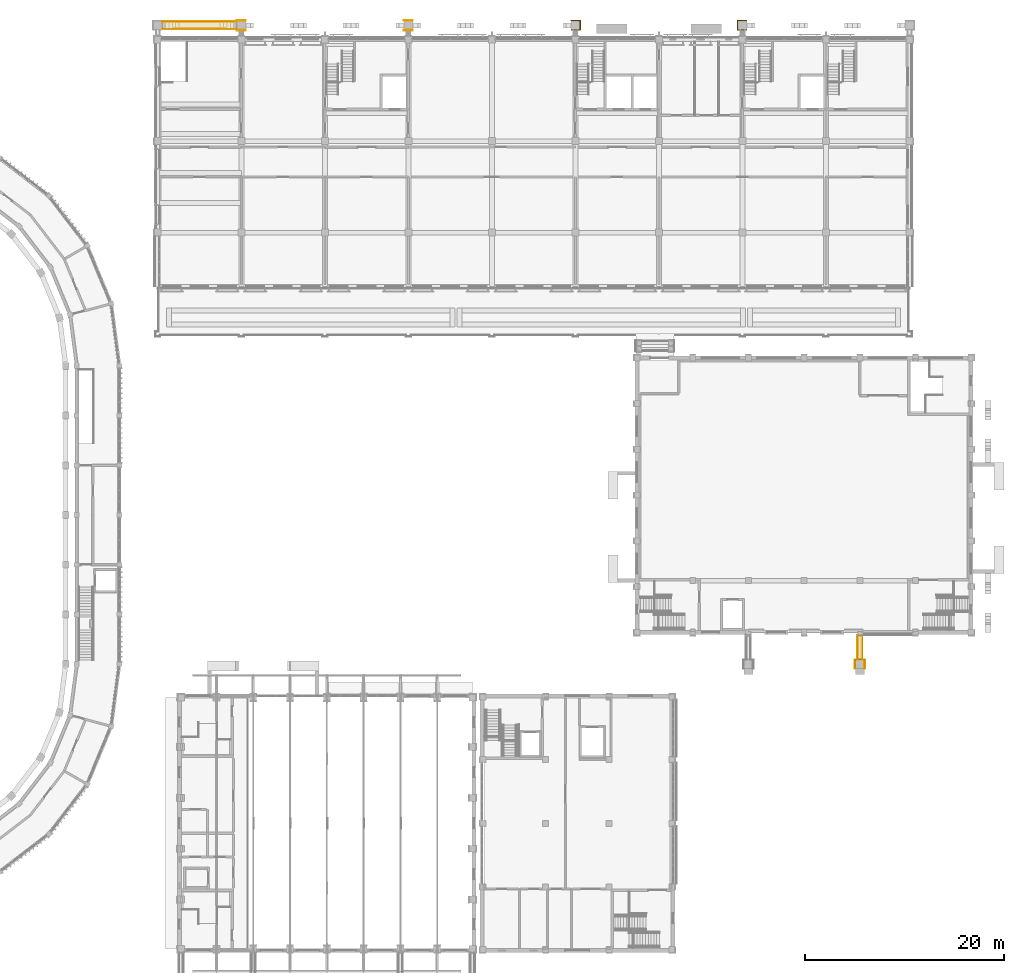
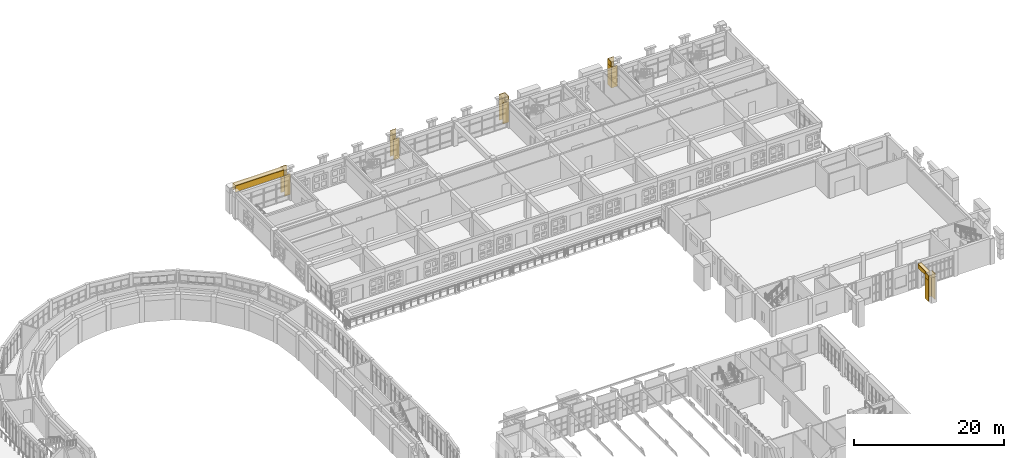
# One storey, part 93 of 99: 19 coverings.
"""IFC4 building model written with IfcOpenShell, lengths in metres."""

from ifc_helpers import new_model, si_unit, direction, frame, origin, place, context, subcontext, project, spatial, polyline, outline, extrude, material, layer, layer_set, type_object, element, save


model = new_model("IFC4")

# Units and contexts
model_context = context("Model", 3, precision=1e-05, world=origin(), true_north=direction((0.0, 1.0)))
body_context = subcontext(model_context, "Body", "Model", "MODEL_VIEW")
ifc_project = project(units=[si_unit("LENGTHUNIT", "METRE"), si_unit("AREAUNIT", "SQUARE_METRE"), si_unit("VOLUMEUNIT", "CUBIC_METRE"), si_unit("PLANEANGLEUNIT", "RADIAN"), si_unit("MASSUNIT", "GRAM", prefix="KILO")], contexts=[model_context])

# Site, building, storey
site_placement = place(None, origin())
site = spatial("IfcSite", under=ifc_project, at=site_placement, CompositionType="ELEMENT")
building_placement = place(site_placement, origin())
building = spatial("IfcBuilding", under=site, at=building_placement, Name="Wasatch Bagh Community Centre", CompositionType="ELEMENT")
storey_placement = place(building_placement, frame((0.0, 0.0, 4.199951171875)))
storey = spatial("IfcBuildingStorey", under=building, at=storey_placement, Name="L01", CompositionType="ELEMENT", Elevation=4.199951171875)

# Coverings
ifc_material = material(Name="Cast stone cladding", Category="masonry")
ifc_layer_1 = layer(ifc_material, 0.080078125)
ifc_layer_set_1 = layer_set([ifc_layer_1], Name="Cast stone cladding")
covering_type_1 = type_object("IfcCoveringType", Name="CL-B7 beam facing", PredefinedType="CLADDING", material=ifc_layer_set_1)
covering_1_placement = place(storey_placement, frame((0.0, 0.0, 3.400146484375)))
element("IfcCovering", 1, at=covering_1_placement, inside=storey, type_object=covering_type_1, Name="Beam facing", PredefinedType="CLADDING", context=body_context, shape_type="SweptSolid", body=[
    extrude(outline(polyline([(134.77490234375, 37.89990234375), (134.77490234375, 35.449951171875), (134.85498046875, 35.449951171875), (134.85498046875, 37.89990234375), (134.77490234375, 37.89990234375)])), origin(), (0.0, 0.0, 1.0), 0.599853515625),
])
covering_2_placement = place(storey_placement, frame((0.0, 0.0, 3.400146484375)))
element("IfcCovering", 2, at=covering_2_placement, inside=storey, type_object=covering_type_1, Name="Beam facing", PredefinedType="CLADDING", context=body_context, shape_type="SweptSolid", body=[
    extrude(outline(polyline([(134.425048828125, 37.89990234375), (134.425048828125, 35.449951171875), (134.344970703125, 35.449951171875), (134.344970703125, 37.89990234375), (134.425048828125, 37.89990234375)])), origin(), (0.0, 0.0, 1.0), 0.599853515625),
])
covering_3_placement = place(storey_placement, frame((0.0, 0.0, 4.0)))
element("IfcCovering", 3, at=covering_3_placement, inside=storey, type_object=covering_type_1, Name="Beam facing", PredefinedType="CLADDING", context=body_context, shape_type="SweptSolid", body=[
    extrude(outline(polyline([(134.344970703125, 37.89990234375), (134.344970703125, 35.449951171875), (134.85498046875, 35.449951171875), (134.85498046875, 37.89990234375), (134.344970703125, 37.89990234375)])), origin(), (0.0, 0.0, 1.0), 0.080078125),
])
covering_4_placement = place(storey_placement, frame((0.0, 0.0, 3.199951171875)))
element("IfcCovering", 4, at=covering_4_placement, inside=storey, type_object=covering_type_1, Name="Beam facing", PredefinedType="CLADDING", context=body_context, shape_type="SweptSolid", body=[
    extrude(outline(polyline([(64.449951171875, 99.550048828125), (71.949951171875, 99.550048828125), (71.949951171875, 99.6298828125), (64.449951171875, 99.6298828125), (64.449951171875, 99.550048828125)])), origin(), (0.0, 0.0, 1.0), 1.0),
])
covering_5_placement = place(storey_placement, frame((0.0, 0.0, 3.199951171875)))
element("IfcCovering", 5, at=covering_5_placement, inside=storey, type_object=covering_type_1, Name="Beam facing", PredefinedType="CLADDING", context=body_context, shape_type="SweptSolid", body=[
    extrude(outline(polyline([(64.449951171875, 98.949951171875), (71.949951171875, 98.949951171875), (71.949951171875, 98.8701171875), (64.449951171875, 98.8701171875), (64.449951171875, 98.949951171875)])), origin(), (0.0, 0.0, 1.0), 1.0),
])
covering_6_placement = place(storey_placement, frame((0.0, 0.0, 4.199951171875)))
element("IfcCovering", 6, at=covering_6_placement, inside=storey, type_object=covering_type_1, Name="Beam facing", PredefinedType="CLADDING", context=body_context, shape_type="SweptSolid", body=[
    extrude(outline(polyline([(64.449951171875, 98.8701171875), (71.949951171875, 98.8701171875), (71.949951171875, 99.6298828125), (64.449951171875, 99.6298828125), (64.449951171875, 98.8701171875)])), origin(), (0.0, 0.0, 1.0), 0.080078125),
])
ifc_layer_2 = layer(ifc_material, 0.080078125)
ifc_layer_set_2 = layer_set([ifc_layer_2], Name="Cast stone cladding")
covering_type_2 = type_object("IfcCoveringType", Name="CL-C1 column facing", PredefinedType="CLADDING", material=ifc_layer_set_2)
covering_7_placement = place(storey_placement, origin())
element("IfcCovering", 7, at=covering_7_placement, inside=storey, type_object=covering_type_2, Name="Column facing", PredefinedType="CLADDING", context=body_context, shape_type="SweptSolid", body=[
    extrude(outline(polyline([(71.949951171875, 99.699951171875), (71.949951171875, 99.780029296875), (72.85009765625, 99.780029296875), (72.85009765625, 99.699951171875), (71.949951171875, 99.699951171875)])), origin(), (0.0, 0.0, 1.0), 3.400146484375),
])
covering_8_placement = place(storey_placement, origin())
element("IfcCovering", 8, at=covering_8_placement, inside=storey, type_object=covering_type_2, Name="Column facing", PredefinedType="CLADDING", context=body_context, shape_type="SweptSolid", body=[
    extrude(outline(polyline([(72.85009765625, 98.800048828125), (72.85009765625, 98.719970703125), (71.949951171875, 98.719970703125), (71.949951171875, 98.800048828125), (72.85009765625, 98.800048828125)])), origin(), (0.0, 0.0, 1.0), 3.400146484375),
])
covering_9_placement = place(storey_placement, frame((0.0, 0.0, 3.400146484375)))
element("IfcCovering", 9, at=covering_9_placement, inside=storey, type_object=covering_type_2, Name="Column facing", PredefinedType="CLADDING", context=body_context, shape_type="SweptSolid", body=[
    extrude(outline(polyline([(72.85009765625, 99.699951171875), (71.949951171875, 99.699951171875), (71.949951171875, 99.780029296875), (72.85009765625, 99.780029296875), (72.85009765625, 99.699951171875)])), origin(), (0.0, 0.0, 1.0), 0.7998046875),
])
covering_10_placement = place(storey_placement, origin())
element("IfcCovering", 10, at=covering_10_placement, inside=storey, type_object=covering_type_2, Name="Column facing", PredefinedType="CLADDING", context=body_context, shape_type="SweptSolid", body=[
    extrude(outline(polyline([(88.75, 99.699951171875), (88.75, 99.780029296875), (89.64990234375, 99.780029296875), (89.64990234375, 99.699951171875), (88.75, 99.699951171875)])), origin(), (0.0, 0.0, 1.0), 3.400146484375),
])
covering_11_placement = place(storey_placement, origin())
element("IfcCovering", 11, at=covering_11_placement, inside=storey, type_object=covering_type_2, Name="Column facing", PredefinedType="CLADDING", context=body_context, shape_type="SweptSolid", body=[
    extrude(outline(polyline([(89.64990234375, 98.800048828125), (89.64990234375, 98.719970703125), (88.75, 98.719970703125), (88.75, 98.800048828125), (89.64990234375, 98.800048828125)])), origin(), (0.0, 0.0, 1.0), 3.400146484375),
])
covering_12_placement = place(storey_placement, frame((0.0, 0.0, 3.400146484375)))
element("IfcCovering", 12, at=covering_12_placement, inside=storey, type_object=covering_type_2, Name="Column facing", PredefinedType="CLADDING", context=body_context, shape_type="SweptSolid", body=[
    extrude(outline(polyline([(89.64990234375, 99.699951171875), (88.75, 99.699951171875), (88.75, 99.780029296875), (89.64990234375, 99.780029296875), (89.64990234375, 99.699951171875)])), origin(), (0.0, 0.0, 1.0), 0.7998046875),
])
covering_13_placement = place(storey_placement, origin())
element("IfcCovering", 13, at=covering_13_placement, inside=storey, type_object=covering_type_2, Name="Column facing", PredefinedType="CLADDING", context=body_context, shape_type="SweptSolid", body=[
    extrude(outline(polyline([(106.530029296875, 98.719970703125), (105.550048828125, 98.719970703125), (105.550048828125, 98.800048828125), (106.449951171875, 98.800048828125), (106.449951171875, 99.699951171875), (105.550048828125, 99.699951171875), (105.550048828125, 99.780029296875), (106.530029296875, 99.780029296875), (106.530029296875, 98.719970703125)])), origin(), (0.0, 0.0, 1.0), 3.400146484375),
])
covering_14_placement = place(storey_placement, frame((0.0, 0.0, 3.400146484375)))
element("IfcCovering", 14, at=covering_14_placement, inside=storey, type_object=covering_type_2, Name="Column facing", PredefinedType="CLADDING", context=body_context, shape_type="SweptSolid", body=[
    extrude(outline(polyline([(106.449951171875, 99.699951171875), (105.550048828125, 99.699951171875), (105.550048828125, 99.780029296875), (106.530029296875, 99.780029296875), (106.530029296875, 98.800048828125), (106.449951171875, 98.800048828125), (106.449951171875, 99.699951171875)])), origin(), (0.0, 0.0, 1.0), 0.7998046875),
])
covering_15_placement = place(storey_placement, origin())
element("IfcCovering", 15, at=covering_15_placement, inside=storey, type_object=covering_type_2, Name="Column facing", PredefinedType="CLADDING", context=body_context, shape_type="SweptSolid", body=[
    extrude(outline(polyline([(122.27001953125, 98.719970703125), (122.27001953125, 99.780029296875), (123.25, 99.780029296875), (123.25, 99.699951171875), (122.35009765625, 99.699951171875), (122.35009765625, 98.800048828125), (123.25, 98.800048828125), (123.25, 98.719970703125), (122.27001953125, 98.719970703125)])), origin(), (0.0, 0.0, 1.0), 3.400146484375),
])
covering_16_placement = place(storey_placement, frame((0.0, 0.0, 3.400146484375)))
element("IfcCovering", 16, at=covering_16_placement, inside=storey, type_object=covering_type_2, Name="Column facing", PredefinedType="CLADDING", context=body_context, shape_type="SweptSolid", body=[
    extrude(outline(polyline([(122.35009765625, 98.800048828125), (122.27001953125, 98.800048828125), (122.27001953125, 99.780029296875), (123.25, 99.780029296875), (123.25, 99.699951171875), (122.35009765625, 99.699951171875), (122.35009765625, 98.800048828125)])), origin(), (0.0, 0.0, 1.0), 0.7998046875),
])
covering_17_placement = place(storey_placement, origin())
element("IfcCovering", 17, at=covering_17_placement, inside=storey, type_object=covering_type_2, Name="Column facing", PredefinedType="CLADDING", context=body_context, shape_type="SweptSolid", body=[
    extrude(outline(polyline([(134.070068359375, 34.550048828125), (134.070068359375, 35.530029296875), (135.1298828125, 35.530029296875), (135.1298828125, 35.449951171875), (135.1298828125, 34.550048828125), (135.050048828125, 34.550048828125), (135.050048828125, 35.449951171875), (134.14990234375, 35.449951171875), (134.14990234375, 34.550048828125), (134.070068359375, 34.550048828125)])), origin(), (0.0, 0.0, 1.0), 3.400146484375),
])
covering_18_placement = place(storey_placement, frame((0.0, 0.0, 3.400146484375)))
element("IfcCovering", 18, at=covering_18_placement, inside=storey, type_object=covering_type_2, Name="Column facing", PredefinedType="CLADDING", context=body_context, shape_type="SweptSolid", body=[
    extrude(outline(polyline([(135.050048828125, 35.449951171875), (135.1298828125, 35.449951171875), (135.1298828125, 34.550048828125), (135.050048828125, 34.550048828125), (135.050048828125, 35.449951171875)])), origin(), (0.0, 0.0, 1.0), 0.7998046875),
])
covering_19_placement = place(storey_placement, frame((0.0, 0.0, 3.400146484375)))
element("IfcCovering", 19, at=covering_19_placement, inside=storey, type_object=covering_type_2, Name="Column facing", PredefinedType="CLADDING", context=body_context, shape_type="SweptSolid", body=[
    extrude(outline(polyline([(134.14990234375, 34.550048828125), (134.070068359375, 34.550048828125), (134.070068359375, 35.449951171875), (134.14990234375, 35.449951171875), (134.14990234375, 34.550048828125)])), origin(), (0.0, 0.0, 1.0), 0.7998046875),
])

save(model, "model.ifc")
